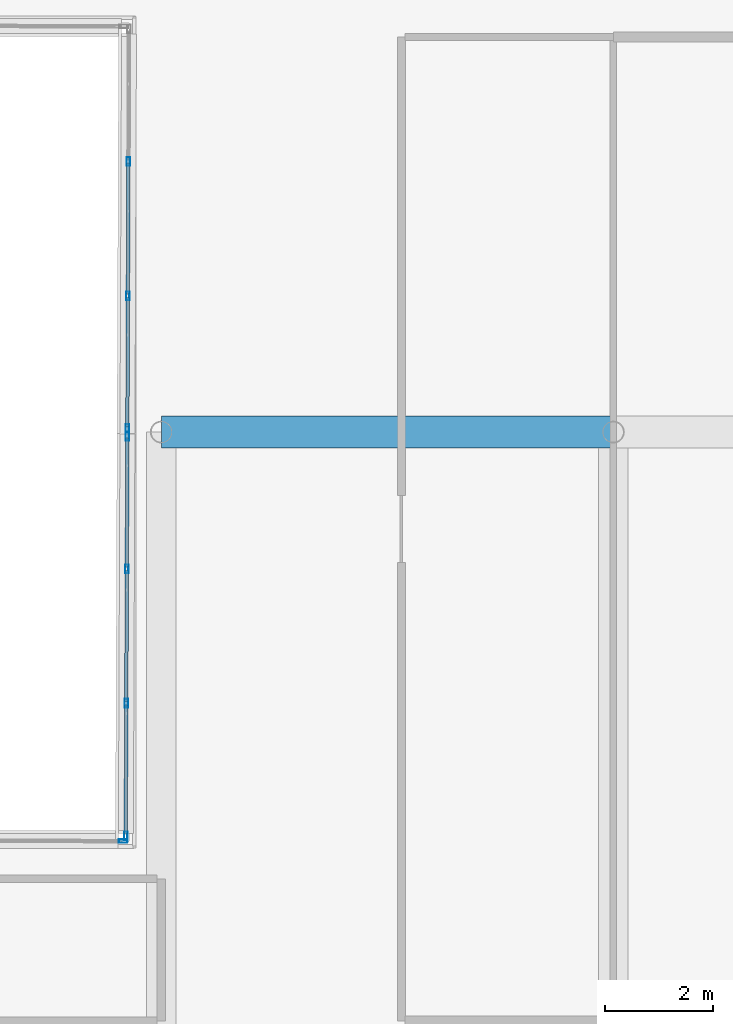
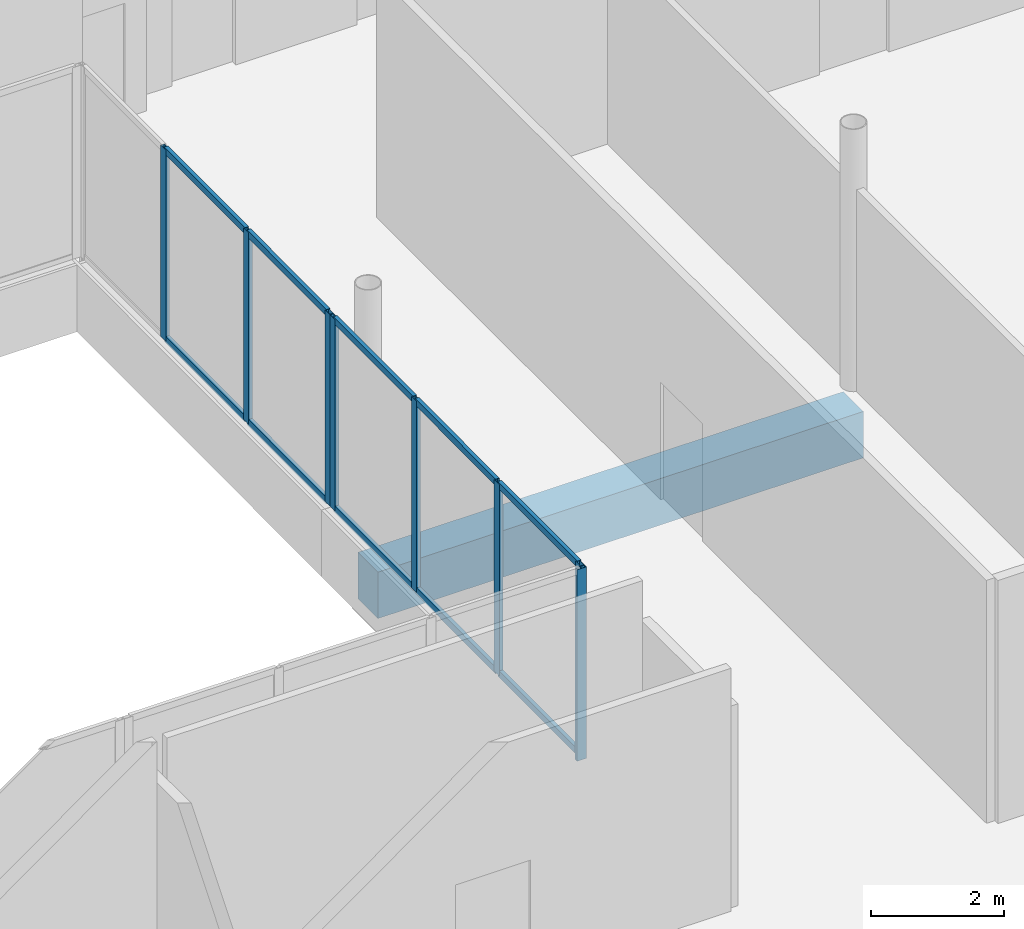
# One storey, part 44 of 168: 18 members, 1 beam, 3 elements without a shape of their own.
"""IFC4 building model written with IfcOpenShell, lengths in metres."""

from ifc_helpers import new_model, si_unit, direction, frame, origin, origin_2d, place, context, subcontext, project, spatial, rectangle, hollow_rectangle, extrude, material, material_profile, profile_set, type_object, element, aggregate, save


model = new_model("IFC4")

# Units and contexts
model_context = context("Model", 3, precision=1e-05, world=origin(), true_north=direction((0.0, 1.0)))
body_context = subcontext(model_context, "Body", "Model", "MODEL_VIEW")
ifc_project = project(units=[si_unit("LENGTHUNIT", "METRE"), si_unit("AREAUNIT", "SQUARE_METRE"), si_unit("VOLUMEUNIT", "CUBIC_METRE"), si_unit("PLANEANGLEUNIT", "RADIAN"), si_unit("MASSUNIT", "GRAM", prefix="KILO")], contexts=[model_context])

# Site, building, storey
site_placement = place(None, origin())
site = spatial("IfcSite", under=ifc_project, at=site_placement, CompositionType="ELEMENT")
building_placement = place(site_placement, origin())
building = spatial("IfcBuilding", under=site, at=building_placement, Name="Selatvlak General Hospital", CompositionType="ELEMENT")
storey_placement = place(building_placement, frame((0.0, 0.0, 5.39990234375)))
storey = spatial("IfcBuildingStorey", under=building, at=storey_placement, Name="L01", CompositionType="ELEMENT", Elevation=5.39990234375)

# Beam
ifc_material_1 = material(Name="Concrete C40/50", Category="concrete")
ifc_material_profile_1 = material_profile(ifc_material_1, rectangle(XDim=0.60009765625, YDim=0.85009765625, at=origin_2d()), Name="RC-BM 600x850")
ifc_profile_set_1 = profile_set([ifc_material_profile_1], Name="Concrete C40/50")
beam_type = type_object("IfcBeamType", Name="BM-G01", PredefinedType="BEAM", material=ifc_profile_set_1)
beam_placement = place(storey_placement, frame((64.800048828125, 68.0, -0.744873046875), z_axis=(1.0, 0.0, 0.0), x_axis=(0.0, 1.0, 0.0)))
element("IfcBeam", 1, at=beam_placement, inside=storey, type_object=beam_type, Name="Beam BMR-L01-0401", PredefinedType="BEAM", context=body_context, shape_type="SweptSolid", body=[
    extrude(rectangle(XDim=0.60009765625, YDim=0.85009765625, at=origin_2d()), origin(), (0.0, 0.0, 1.0), 8.39990234375),
])

# Curtain wall, member
ifc_material_2 = material(Name="Solar-control Low-E double glazing", Category="glass")
curtain_wall_type_1 = type_object("IfcCurtainWallType", Name="CW-CW-01", PredefinedType="USERDEFINED", material=ifc_material_2)
curtain_wall_1_placement = place(storey_placement, origin())
curtain_wall_1 = element("IfcCurtainWall", 2, at=curtain_wall_1_placement, inside=storey, type_object=curtain_wall_type_1, Name="Glazed facade curtain wall CW-L01-0233", ObjectType="UNITISED CURTAIN WALL", PredefinedType="USERDEFINED")
ifc_material_3 = material(Name="Dark anodised aluminium mullion", Category="aluminium")
ifc_material_profile_2 = material_profile(ifc_material_3, hollow_rectangle(XDim=0.06494140625, YDim=0.159912109375, WallThickness=0.00390625, at=origin_2d()), Name="AL-MUL 65x160x4")
ifc_profile_set_2 = profile_set([ifc_material_profile_2], Name="Dark anodised aluminium mullion")
member_type_1 = type_object("IfcMemberType", Name="CWM-01", PredefinedType="MULLION", material=ifc_profile_set_2)
member_1_placement = place(storey_placement, frame((64.092529296875, 60.400146484375, 0.940185546875), z_axis=(0.0, 0.0, 1.0), x_axis=(0.002531637448, 0.999996795401, 0.0)))
member_1 = element("IfcMember", 3, at=member_1_placement, type_object=member_type_1, Name="CW-01 mullion 4", PredefinedType="MULLION", context=body_context, shape_type="SweptSolid", body=[
    extrude(hollow_rectangle(XDim=0.06494140625, YDim=0.159912109375, WallThickness=0.00390625, at=origin_2d()), origin(), (0.0, 0.0, 1.0), 3.5048828125),
])
aggregate(curtain_wall_1, [member_1])

# Curtain wall, members
curtain_wall_2_placement = place(storey_placement, origin())
curtain_wall_2 = element("IfcCurtainWall", 4, at=curtain_wall_2_placement, inside=storey, type_object=curtain_wall_type_1, Name="Glazed facade curtain wall CW-L01-0234", ObjectType="UNITISED CURTAIN WALL", PredefinedType="USERDEFINED")
member_2_placement = place(storey_placement, frame((64.14013671875, 60.49755859375, 0.940185546875), z_axis=(0.0, 0.0, 1.0), x_axis=(-0.99999197872, 0.00400530832, 0.0)))
member_2 = element("IfcMember", 5, at=member_2_placement, type_object=member_type_1, Name="CW-01 mullion 1", PredefinedType="MULLION", context=body_context, shape_type="SweptSolid", body=[
    extrude(hollow_rectangle(XDim=0.06494140625, YDim=0.159912109375, WallThickness=0.00390625, at=origin_2d()), origin(), (0.0, 0.0, 1.0), 3.5048828125),
])
member_3_placement = place(storey_placement, frame((64.14990234375, 62.961669921875, 0.940185546875), z_axis=(0.0, 0.0, 1.0), x_axis=(-0.99999197872, 0.00400530832, 0.0)))
member_3 = element("IfcMember", 6, at=member_3_placement, type_object=member_type_1, Name="CW-01 mullion 2", PredefinedType="MULLION", context=body_context, shape_type="SweptSolid", body=[
    extrude(hollow_rectangle(XDim=0.06494140625, YDim=0.159912109375, WallThickness=0.00390625, at=origin_2d()), origin(), (0.0, 0.0, 1.0), 3.5048828125),
])
member_4_placement = place(storey_placement, frame((64.159912109375, 65.458251953125, 0.940185546875), z_axis=(0.0, 0.0, 1.0), x_axis=(-0.99999197872, 0.00400530832, 0.0)))
member_4 = element("IfcMember", 7, at=member_4_placement, type_object=member_type_1, Name="CW-01 mullion 3", PredefinedType="MULLION", context=body_context, shape_type="SweptSolid", body=[
    extrude(hollow_rectangle(XDim=0.06494140625, YDim=0.159912109375, WallThickness=0.00390625, at=origin_2d()), origin(), (0.0, 0.0, 1.0), 3.5048828125),
])
member_5_placement = place(storey_placement, frame((64.169921875, 67.922607421875, 0.940185546875), z_axis=(0.0, 0.0, 1.0), x_axis=(-0.99999197872, 0.00400530832, 0.0)))
member_5 = element("IfcMember", 8, at=member_5_placement, type_object=member_type_1, Name="CW-01 mullion 4", PredefinedType="MULLION", context=body_context, shape_type="SweptSolid", body=[
    extrude(hollow_rectangle(XDim=0.06494140625, YDim=0.159912109375, WallThickness=0.00390625, at=origin_2d()), origin(), (0.0, 0.0, 1.0), 3.5048828125),
])

curtain_wall_type_2 = type_object("IfcCurtainWallType", Name="CW-CW-02", PredefinedType="USERDEFINED", material=ifc_material_2)
curtain_wall_3_placement = place(storey_placement, origin())
curtain_wall_3 = element("IfcCurtainWall", 9, at=curtain_wall_3_placement, inside=storey, type_object=curtain_wall_type_2, Name="Glazed facade curtain wall CW-L01-0235", ObjectType="UNITISED CURTAIN WALL", PredefinedType="USERDEFINED")
member_6_placement = place(storey_placement, frame((64.170166015625, 68.0673828125, 0.940185546875), z_axis=(0.0, 0.0, 1.0), x_axis=(-0.99999197872, 0.00400530832, 0.0)))
member_6 = element("IfcMember", 10, at=member_6_placement, type_object=member_type_1, Name="CW-02 mullion 1", PredefinedType="MULLION", context=body_context, shape_type="SweptSolid", body=[
    extrude(hollow_rectangle(XDim=0.06494140625, YDim=0.159912109375, WallThickness=0.00390625, at=origin_2d()), origin(), (0.0, 0.0, 1.0), 3.5048828125),
])
member_7_placement = place(storey_placement, frame((64.179931640625, 70.53173828125, 0.940185546875), z_axis=(0.0, 0.0, 1.0), x_axis=(-0.99999197872, 0.00400530832, 0.0)))
member_7 = element("IfcMember", 11, at=member_7_placement, type_object=member_type_1, Name="CW-02 mullion 2", PredefinedType="MULLION", context=body_context, shape_type="SweptSolid", body=[
    extrude(hollow_rectangle(XDim=0.06494140625, YDim=0.159912109375, WallThickness=0.00390625, at=origin_2d()), origin(), (0.0, 0.0, 1.0), 3.5048828125),
])
member_8_placement = place(storey_placement, frame((64.18994140625, 73.0283203125, 0.940185546875), z_axis=(0.0, 0.0, 1.0), x_axis=(-0.99999197872, 0.00400530832, 0.0)))
member_8 = element("IfcMember", 12, at=member_8_placement, type_object=member_type_1, Name="CW-02 mullion 3", PredefinedType="MULLION", context=body_context, shape_type="SweptSolid", body=[
    extrude(hollow_rectangle(XDim=0.06494140625, YDim=0.159912109375, WallThickness=0.00390625, at=origin_2d()), origin(), (0.0, 0.0, 1.0), 3.5048828125),
])

# Member
ifc_material_profile_3 = material_profile(ifc_material_3, hollow_rectangle(XDim=0.06494140625, YDim=0.1201171875, WallThickness=0.00390625, at=origin_2d()), Name="AL-TRN 65x120x4")
ifc_profile_set_3 = profile_set([ifc_material_profile_3], Name="Dark anodised aluminium mullion")
member_type_2 = type_object("IfcMemberType", Name="CWT-01", PredefinedType="USERDEFINED", material=ifc_profile_set_3)
member_9_placement = place(storey_placement, frame((64.140380859375, 60.530029296875, 0.97265625), z_axis=(0.003968626526, 0.999992124971, 0.0), x_axis=(-0.999992124971, 0.003968626526, 0.0)))
member_9 = element("IfcMember", 13, at=member_9_placement, type_object=member_type_2, Name="CW-01 transom 1.1", ObjectType="TRANSOM", PredefinedType="USERDEFINED", context=body_context, shape_type="SweptSolid", body=[
    extrude(hollow_rectangle(XDim=0.06494140625, YDim=0.1201171875, WallThickness=0.00390625, at=origin_2d()), origin(), (0.0, 0.0, 1.0), 2.399169921875),
])

member_10_placement = place(storey_placement, frame((64.140380859375, 60.530029296875, 4.41259765625), z_axis=(0.003968626526, 0.999992124971, 0.0), x_axis=(-0.999992124971, 0.003968626526, 0.0)))
member_10 = element("IfcMember", 14, at=member_10_placement, type_object=member_type_2, Name="CW-01 transom 1.2", ObjectType="TRANSOM", PredefinedType="USERDEFINED", context=body_context, shape_type="SweptSolid", body=[
    extrude(hollow_rectangle(XDim=0.06494140625, YDim=0.1201171875, WallThickness=0.00390625, at=origin_2d()), origin(), (0.0, 0.0, 1.0), 2.399169921875),
])

member_11_placement = place(storey_placement, frame((64.150146484375, 62.994140625, 0.97265625), z_axis=(0.00401603187, 0.999991935711, 0.0), x_axis=(-0.999991935711, 0.00401603187, 0.0)))
member_11 = element("IfcMember", 15, at=member_11_placement, type_object=member_type_2, Name="CW-01 transom 2.1", ObjectType="TRANSOM", PredefinedType="USERDEFINED", context=body_context, shape_type="SweptSolid", body=[
    extrude(hollow_rectangle(XDim=0.06494140625, YDim=0.1201171875, WallThickness=0.00390625, at=origin_2d()), origin(), (0.0, 0.0, 1.0), 2.431640625),
])

member_12_placement = place(storey_placement, frame((64.150146484375, 62.994140625, 4.41259765625), z_axis=(0.00401603187, 0.999991935711, 0.0), x_axis=(-0.999991935711, 0.00401603187, 0.0)))
member_12 = element("IfcMember", 16, at=member_12_placement, type_object=member_type_2, Name="CW-01 transom 2.2", ObjectType="TRANSOM", PredefinedType="USERDEFINED", context=body_context, shape_type="SweptSolid", body=[
    extrude(hollow_rectangle(XDim=0.06494140625, YDim=0.1201171875, WallThickness=0.00390625, at=origin_2d()), origin(), (0.0, 0.0, 1.0), 2.431640625),
])

member_13_placement = place(storey_placement, frame((64.16015625, 65.49072265625, 0.97265625), z_axis=(0.003968626526, 0.999992124971, 0.0), x_axis=(-0.999992124971, 0.003968626526, 0.0)))
member_13 = element("IfcMember", 17, at=member_13_placement, type_object=member_type_2, Name="CW-01 transom 3.1", ObjectType="TRANSOM", PredefinedType="USERDEFINED", context=body_context, shape_type="SweptSolid", body=[
    extrude(hollow_rectangle(XDim=0.06494140625, YDim=0.1201171875, WallThickness=0.00390625, at=origin_2d()), origin(), (0.0, 0.0, 1.0), 2.399169921875),
])

member_14_placement = place(storey_placement, frame((64.16015625, 65.49072265625, 4.41259765625), z_axis=(0.003968626526, 0.999992124971, 0.0), x_axis=(-0.999992124971, 0.003968626526, 0.0)))
member_14 = element("IfcMember", 18, at=member_14_placement, type_object=member_type_2, Name="CW-01 transom 3.2", ObjectType="TRANSOM", PredefinedType="USERDEFINED", context=body_context, shape_type="SweptSolid", body=[
    extrude(hollow_rectangle(XDim=0.06494140625, YDim=0.1201171875, WallThickness=0.00390625, at=origin_2d()), origin(), (0.0, 0.0, 1.0), 2.399169921875),
])

aggregate(curtain_wall_2, [member_2, member_3, member_4, member_5, member_9, member_10, member_11, member_12, member_13, member_14])

member_15_placement = place(storey_placement, frame((64.170166015625, 68.10009765625, 0.97265625), z_axis=(0.004070384516, 0.999991715951, 0.0), x_axis=(-0.999991715951, 0.004070384516, 0.0)))
member_15 = element("IfcMember", 19, at=member_15_placement, type_object=member_type_2, Name="CW-02 transom 1.1", ObjectType="TRANSOM", PredefinedType="USERDEFINED", context=body_context, shape_type="SweptSolid", body=[
    extrude(hollow_rectangle(XDim=0.06494140625, YDim=0.1201171875, WallThickness=0.00390625, at=origin_2d()), origin(), (0.0, 0.0, 1.0), 2.399169921875),
])

member_16_placement = place(storey_placement, frame((64.170166015625, 68.10009765625, 4.41259765625), z_axis=(0.004070384516, 0.999991715951, 0.0), x_axis=(-0.999991715951, 0.004070384516, 0.0)))
member_16 = element("IfcMember", 20, at=member_16_placement, type_object=member_type_2, Name="CW-02 transom 1.2", ObjectType="TRANSOM", PredefinedType="USERDEFINED", context=body_context, shape_type="SweptSolid", body=[
    extrude(hollow_rectangle(XDim=0.06494140625, YDim=0.1201171875, WallThickness=0.00390625, at=origin_2d()), origin(), (0.0, 0.0, 1.0), 2.399169921875),
])

member_17_placement = place(storey_placement, frame((64.18017578125, 70.564208984375, 0.97265625), z_axis=(0.00401603187, 0.999991935711, 0.0), x_axis=(-0.999991935711, 0.00401603187, 0.0)))
member_17 = element("IfcMember", 21, at=member_17_placement, type_object=member_type_2, Name="CW-02 transom 2.1", ObjectType="TRANSOM", PredefinedType="USERDEFINED", context=body_context, shape_type="SweptSolid", body=[
    extrude(hollow_rectangle(XDim=0.06494140625, YDim=0.1201171875, WallThickness=0.00390625, at=origin_2d()), origin(), (0.0, 0.0, 1.0), 2.431640625),
])

member_18_placement = place(storey_placement, frame((64.18017578125, 70.564208984375, 4.41259765625), z_axis=(0.00401603187, 0.999991935711, 0.0), x_axis=(-0.999991935711, 0.00401603187, 0.0)))
member_18 = element("IfcMember", 22, at=member_18_placement, type_object=member_type_2, Name="CW-02 transom 2.2", ObjectType="TRANSOM", PredefinedType="USERDEFINED", context=body_context, shape_type="SweptSolid", body=[
    extrude(hollow_rectangle(XDim=0.06494140625, YDim=0.1201171875, WallThickness=0.00390625, at=origin_2d()), origin(), (0.0, 0.0, 1.0), 2.431640625),
])

aggregate(curtain_wall_3, [member_6, member_7, member_8, member_15, member_16, member_17, member_18])

save(model, "model.ifc")
